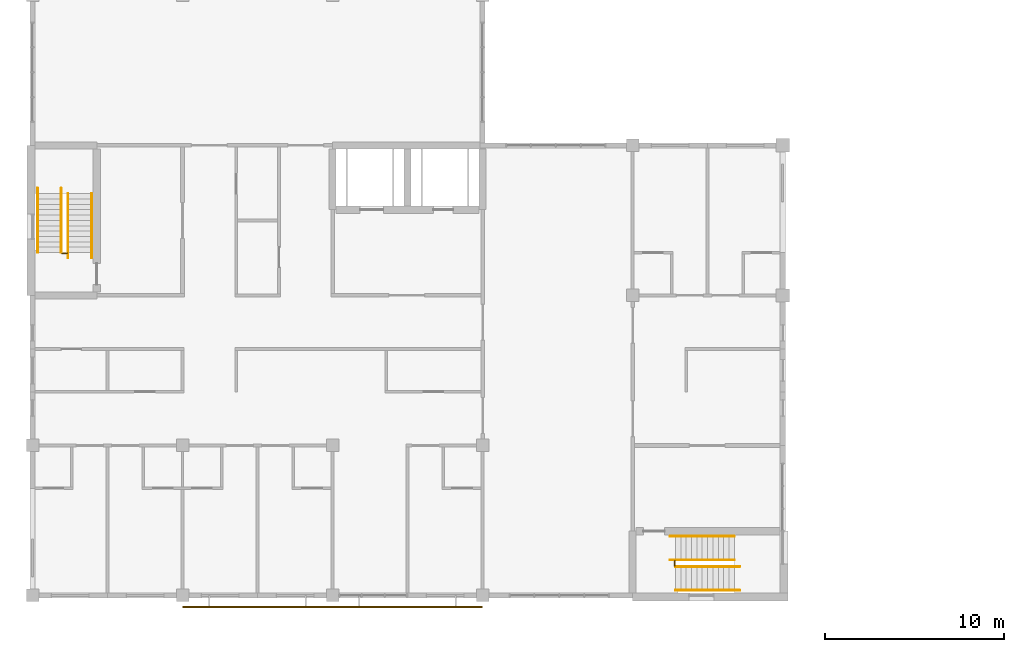
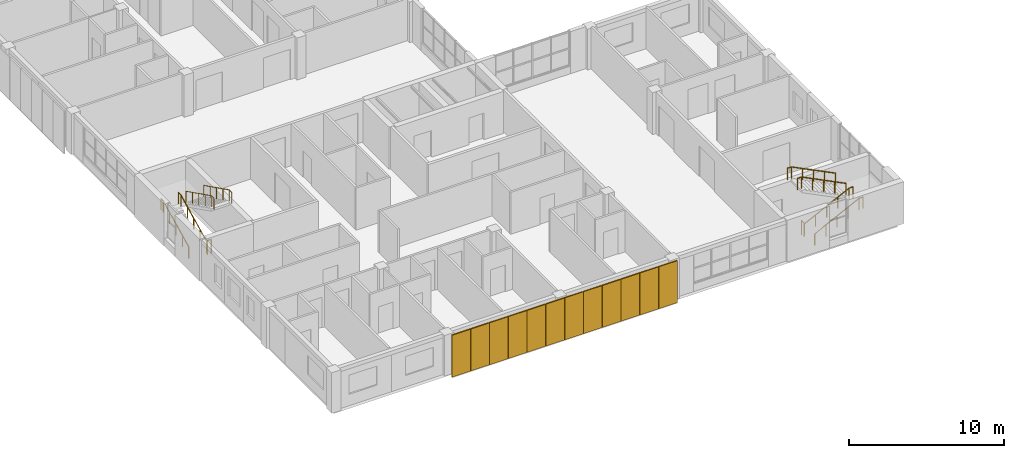
# One storey, part 44 of 48: 12 shading devices, 10 railings.
"""IFC4 building model written with IfcOpenShell, lengths in metres."""

from ifc_helpers import new_model, si_unit, direction, frame, origin, origin_2d, place, context, subcontext, project, spatial, rectangle, circle, extrude, material, layer, layer_set, type_object, element, save


model = new_model("IFC4")

# Units and contexts
model_context = context("Model", 3, precision=1e-05, world=origin(), true_north=direction((0.0, 1.0)))
body_context = subcontext(model_context, "Body", "Model", "MODEL_VIEW")
ifc_project = project(units=[si_unit("LENGTHUNIT", "METRE"), si_unit("AREAUNIT", "SQUARE_METRE"), si_unit("VOLUMEUNIT", "CUBIC_METRE"), si_unit("PLANEANGLEUNIT", "RADIAN"), si_unit("MASSUNIT", "GRAM", prefix="KILO")], contexts=[model_context])

# Site, building, storey
site_placement = place(None, origin())
site = spatial("IfcSite", under=ifc_project, at=site_placement, CompositionType="ELEMENT")
building_placement = place(site_placement, origin())
building = spatial("IfcBuilding", under=site, at=building_placement, Name="Yavir Park General Hospital", CompositionType="ELEMENT")
storey_placement = place(building_placement, frame((0.0, 0.0, 26.10009765625)))
storey = spatial("IfcBuildingStorey", under=building, at=storey_placement, Name="L06", CompositionType="ELEMENT", Elevation=26.10009765625)

# Shading devices
ifc_material_1 = material(Name="Precast concrete perforated block panel", Category="concrete")
ifc_layer = layer(ifc_material_1, 0.092041015625)
ifc_layer_set = layer_set([ifc_layer], Name="Precast concrete perforated block panel")
shading_device_type = type_object("IfcShadingDeviceType", Name="Precast breeze-block screen panel 1380 x 3300 x 92", PredefinedType="JALOUSIE", material=ifc_layer_set)
for number, where, z_axis, x_axis, name in (
    (1, (9.10009765625, -0.64990234375, 0.0), (0.0, 0.0, 1.0), (1.0, 0.0, 0.0), "Screen panel S2.4.1"),
    (2, (10.5, -0.64990234375, 0.0), (0.0, 0.0, 1.0), (1.0, 0.0, 0.0), "Screen panel S2.4.2"),
    (3, (11.89990234375, -0.64990234375, 0.0), (0.0, 0.0, 1.0), (1.0, 0.0, 0.0), "Screen panel S2.4.3"),
    (4, (13.300048828125, -0.64990234375, 0.0), (0.0, 0.0, 1.0), (1.0, 0.0, 0.0), "Screen panel S2.4.4"),
    (5, (14.699951171875, -0.64990234375, 0.0), (0.0, 0.0, 1.0), (1.0, 0.0, 0.0), "Screen panel S2.4.5"),
    (6, (16.10009765625, -0.64990234375, 0.0), (0.0, 0.0, 1.0), (1.0, 0.0, 0.0), "Screen panel S2.4.6"),
    (7, (17.5, -0.64990234375, 0.0), (0.0, 0.0, 1.0), (1.0, 0.0, 0.0), "Screen panel S3.4.1"),
    (8, (18.89990234375, -0.64990234375, 0.0), (0.0, 0.0, 1.0), (1.0, 0.0, 0.0), "Screen panel S3.4.2"),
    (9, (20.300048828125, -0.64990234375, 0.0), (0.0, 0.0, 1.0), (1.0, 0.0, 0.0), "Screen panel S3.4.3"),
    (10, (21.699951171875, -0.64990234375, 0.0), (0.0, 0.0, 1.0), (1.0, 0.0, 0.0), "Screen panel S3.4.4"),
    (11, (23.10009765625, -0.64990234375, 0.0), (0.0, 0.0, 1.0), (1.0, 0.0, 0.0), "Screen panel S3.4.5"),
    (12, (24.5, -0.64990234375, 0.0), (0.0, 0.0, 1.0), (1.0, 0.0, 0.0), "Screen panel S3.4.6"),
):
    element("IfcShadingDevice", number, at=place(storey_placement, frame(where, z_axis=z_axis, x_axis=x_axis)), inside=storey, type_object=shading_device_type, Name=name, PredefinedType="JALOUSIE", context=body_context, shape_type="SweptSolid", body=[
        extrude(rectangle(XDim=1.3798828125, YDim=0.092041015625, at=origin_2d()), origin(), (0.0, 0.0, 1.0), 3.300048828125),
    ])

# Railings
ifc_material_2 = material(Name="Steel balustrade with infill rods", Category="steel")
railing_type_1 = type_object("IfcRailingType", Name="Stair guard, steel balustrade 1100 mm", PredefinedType="GUARDRAIL", material=ifc_material_2)
railing_1_placement = place(storey_placement, frame((1.64990234375, 19.169921875, 0.0)))
element("IfcRailing", 13, at=railing_1_placement, inside=storey, type_object=railing_type_1, Name="Stair well guard SU1 L06", PredefinedType="GUARDRAIL", context=body_context, shape_type="SweptSolid", body=[
    extrude(circle(Radius=0.02392578125, at=origin_2d()), frame((0.0, 0.0, 1.076171875), z_axis=(1.0, 0.0, 0.0), x_axis=(0.0, 1.0, 0.0)), (0.0, 0.0, 1.0), 0.300048828125),
    extrude(circle(Radius=0.02099609375, at=origin_2d()), origin(), (0.0, 0.0, 1.0), 1.052001953125),
    extrude(circle(Radius=0.02099609375, at=origin_2d()), frame((0.300048828125, 0.0, 0.0)), (0.0, 0.0, 1.0), 1.052001953125),
])
railing_2_placement = place(storey_placement, frame((35.969970703125, 1.64990234375, 0.0)))
element("IfcRailing", 14, at=railing_2_placement, inside=storey, type_object=railing_type_1, Name="Stair well guard SU2 L06", PredefinedType="GUARDRAIL", context=body_context, shape_type="SweptSolid", body=[
    extrude(circle(Radius=0.02392578125, at=origin_2d()), frame((0.0, 0.0, 1.076171875), z_axis=(0.0, 1.0, 0.0), x_axis=(-1.0, 0.0, 0.0)), (0.0, 0.0, 1.0), 0.300048828125),
    extrude(circle(Radius=0.02099609375, at=origin_2d()), origin(), (0.0, 0.0, 1.0), 1.052001953125),
    extrude(circle(Radius=0.02099609375, at=origin_2d()), frame((0.0, 0.300048828125, 0.0)), (0.0, 0.0, 1.0), 1.052001953125),
])
ifc_material_3 = material(Name="Stainless steel tube 48 mm", Category="steel")
railing_type_2 = type_object("IfcRailingType", Name="Stair handrail, steel tube, 900 mm above the nosings", PredefinedType="HANDRAIL", material=ifc_material_3)
for number, where, name in (
    (15, (0.2900390625, 19.199951171875, 0.14990234375), "Handrail SU1 L06 1"),
    (16, (1.610107421875, 19.199951171875, 0.14990234375), "Handrail SU1 L06 2"),
):
    element("IfcRailing", number, at=place(storey_placement, frame(where)), inside=storey, type_object=railing_type_2, Name=name, PredefinedType="HANDRAIL", context=body_context, shape_type="SweptSolid", body=[
        extrude(circle(Radius=0.02392578125, at=origin_2d()), frame((0.0, 0.0, 0.8759765625), z_axis=(0.0, 0.894440424912, 0.447187126696), x_axis=(-1.0, 0.0, 0.0)), (0.0, 0.0, 1.0), 3.689453125),
        extrude(circle(Radius=0.02392578125, at=origin_2d()), frame((0.0, 3.300048828125, 2.52587890625), z_axis=(0.0, 1.0, 0.0), x_axis=(-1.0, 0.0, 0.0)), (0.0, 0.0, 1.0), 0.300048828125),
        extrude(circle(Radius=0.02099609375, at=origin_2d()), origin(), (0.0, 0.0, 1.0), 0.851806640625),
        extrude(circle(Radius=0.02099609375, at=origin_2d()), frame((0.0, 0.824951171875, 0.41259765625)), (0.0, 0.0, 1.0), 0.851806640625),
        extrude(circle(Radius=0.02099609375, at=origin_2d()), frame((0.0, 1.64990234375, 0.824951171875)), (0.0, 0.0, 1.0), 0.851806640625),
        extrude(circle(Radius=0.02099609375, at=origin_2d()), frame((0.0, 2.47509765625, 1.2373046875)), (0.0, 0.0, 1.0), 0.851806640625),
        extrude(circle(Radius=0.02099609375, at=origin_2d()), frame((0.0, 3.300048828125, 1.64990234375)), (0.0, 0.0, 1.0), 0.851806640625),
        extrude(circle(Radius=0.02099609375, at=origin_2d()), frame((0.0, 3.60009765625, 1.64990234375)), (0.0, 0.0, 1.0), 0.851806640625),
    ])
for number, where, name in (
    (17, (3.31005859375, 22.5, 1.949951171875), "Handrail SU1 L06 3"),
    (18, (1.989990234375, 22.5, 1.949951171875), "Handrail SU1 L06 4"),
):
    element("IfcRailing", number, at=place(storey_placement, frame(where)), inside=storey, type_object=railing_type_2, Name=name, PredefinedType="HANDRAIL", context=body_context, shape_type="SweptSolid", body=[
        extrude(circle(Radius=0.02392578125, at=origin_2d()), frame((0.0, 0.0, 0.8759765625), z_axis=(0.0, -0.894440424912, 0.447187126696), x_axis=(1.0, 0.0, 0.0)), (0.0, 0.0, 1.0), 3.689453125),
        extrude(circle(Radius=0.02392578125, at=origin_2d()), frame((0.0, -3.300048828125, 2.52587890625), z_axis=(0.0, -1.0, 0.0), x_axis=(1.0, 0.0, 0.0)), (0.0, 0.0, 1.0), 0.300048828125),
        extrude(circle(Radius=0.02099609375, at=origin_2d()), origin(), (0.0, 0.0, 1.0), 0.851806640625),
        extrude(circle(Radius=0.02099609375, at=origin_2d()), frame((0.0, -0.824951171875, 0.41259765625)), (0.0, 0.0, 1.0), 0.851806640625),
        extrude(circle(Radius=0.02099609375, at=origin_2d()), frame((0.0, -1.64990234375, 0.824951171875)), (0.0, 0.0, 1.0), 0.851806640625),
        extrude(circle(Radius=0.02099609375, at=origin_2d()), frame((0.0, -2.47509765625, 1.2373046875)), (0.0, 0.0, 1.0), 0.851806640625),
        extrude(circle(Radius=0.02099609375, at=origin_2d()), frame((0.0, -3.300048828125, 1.64990234375)), (0.0, 0.0, 1.0), 0.851806640625),
        extrude(circle(Radius=0.02099609375, at=origin_2d()), frame((0.0, -3.60009765625, 1.64990234375)), (0.0, 0.0, 1.0), 0.851806640625),
    ])
for number, where, name in (
    (19, (36.0, 0.2900390625, 0.14990234375), "Handrail SU2 L06 1"),
    (20, (36.0, 1.610107421875, 0.14990234375), "Handrail SU2 L06 2"),
):
    element("IfcRailing", number, at=place(storey_placement, frame(where)), inside=storey, type_object=railing_type_2, Name=name, PredefinedType="HANDRAIL", context=body_context, shape_type="SweptSolid", body=[
        extrude(circle(Radius=0.02392578125, at=origin_2d()), frame((0.0, 0.0, 0.8759765625), z_axis=(0.894440424912, 0.0, 0.447187126696), x_axis=(0.0, 1.0, 0.0)), (0.0, 0.0, 1.0), 3.689453125),
        extrude(circle(Radius=0.02392578125, at=origin_2d()), frame((3.300048828125, 0.0, 2.52587890625), z_axis=(1.0, 0.0, 0.0), x_axis=(0.0, 1.0, 0.0)), (0.0, 0.0, 1.0), 0.300048828125),
        extrude(circle(Radius=0.02099609375, at=origin_2d()), origin(), (0.0, 0.0, 1.0), 0.851806640625),
        extrude(circle(Radius=0.02099609375, at=origin_2d()), frame((0.824951171875, 0.0, 0.41259765625)), (0.0, 0.0, 1.0), 0.851806640625),
        extrude(circle(Radius=0.02099609375, at=origin_2d()), frame((1.64990234375, 0.0, 0.824951171875)), (0.0, 0.0, 1.0), 0.851806640625),
        extrude(circle(Radius=0.02099609375, at=origin_2d()), frame((2.47509765625, 0.0, 1.2373046875)), (0.0, 0.0, 1.0), 0.851806640625),
        extrude(circle(Radius=0.02099609375, at=origin_2d()), frame((3.300048828125, 0.0, 1.64990234375)), (0.0, 0.0, 1.0), 0.851806640625),
        extrude(circle(Radius=0.02099609375, at=origin_2d()), frame((3.60009765625, 0.0, 1.64990234375)), (0.0, 0.0, 1.0), 0.851806640625),
    ])
for number, where, name in (
    (21, (39.300048828125, 3.31005859375, 1.949951171875), "Handrail SU2 L06 3"),
    (22, (39.300048828125, 1.989990234375, 1.949951171875), "Handrail SU2 L06 4"),
):
    element("IfcRailing", number, at=place(storey_placement, frame(where)), inside=storey, type_object=railing_type_2, Name=name, PredefinedType="HANDRAIL", context=body_context, shape_type="SweptSolid", body=[
        extrude(circle(Radius=0.02392578125, at=origin_2d()), frame((0.0, 0.0, 0.8759765625), z_axis=(-0.894440424912, 0.0, 0.447187126696), x_axis=(0.0, -1.0, 0.0)), (0.0, 0.0, 1.0), 3.689453125),
        extrude(circle(Radius=0.02392578125, at=origin_2d()), frame((-3.300048828125, 0.0, 2.52587890625), z_axis=(-1.0, 0.0, 0.0), x_axis=(0.0, -1.0, 0.0)), (0.0, 0.0, 1.0), 0.300048828125),
        extrude(circle(Radius=0.02099609375, at=origin_2d()), origin(), (0.0, 0.0, 1.0), 0.851806640625),
        extrude(circle(Radius=0.02099609375, at=origin_2d()), frame((-0.824951171875, 0.0, 0.41259765625)), (0.0, 0.0, 1.0), 0.851806640625),
        extrude(circle(Radius=0.02099609375, at=origin_2d()), frame((-1.64990234375, 0.0, 0.824951171875)), (0.0, 0.0, 1.0), 0.851806640625),
        extrude(circle(Radius=0.02099609375, at=origin_2d()), frame((-2.47509765625, 0.0, 1.2373046875)), (0.0, 0.0, 1.0), 0.851806640625),
        extrude(circle(Radius=0.02099609375, at=origin_2d()), frame((-3.300048828125, 0.0, 1.64990234375)), (0.0, 0.0, 1.0), 0.851806640625),
        extrude(circle(Radius=0.02099609375, at=origin_2d()), frame((-3.60009765625, 0.0, 1.64990234375)), (0.0, 0.0, 1.0), 0.851806640625),
    ])

save(model, "model.ifc")
